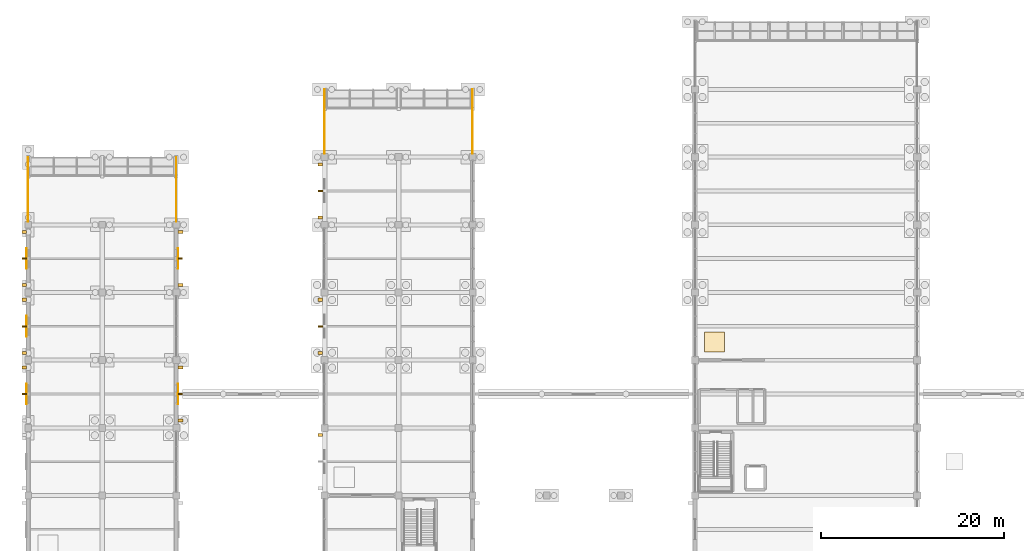
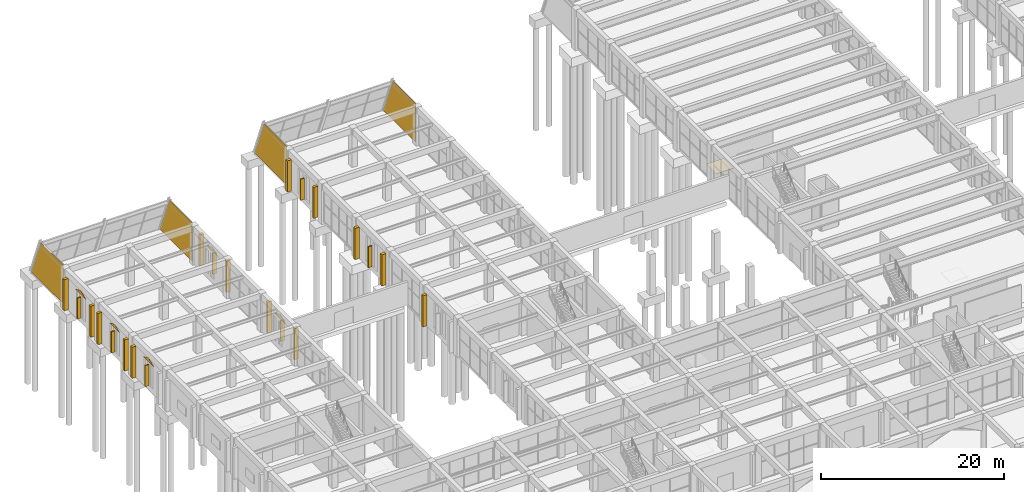
# One storey, part 137 of 140: 21 shading devices, 10 coverings.
"""IFC4 building model written with IfcOpenShell, lengths in metres."""

import ifcopenshell
import ifcopenshell.guid

model = None  # the IFC model being written
_history = None  # IfcOwnerHistory: only IFC2X3 demands one
_inside = {}  # id of a spatial element -> (the spatial element, [elements in it])
_under = {}  # id of a project, library or spatial element -> (it, [spatial elements below it])
_declared = {}  # id of a project -> (the project, [libraries it declares])
_typed = {}  # id of a type object -> (the type object, [elements of that type])
_made_of = {}  # id of a material, layer set ... -> (it, [elements and type objects made of it])


def new_model(schema):
    """Start an empty IFC model of exactly this schema.

    Asked for "IFC4X3", IfcOpenShell would pick the latest addendum, in which some entities
    have other attributes; the version numbers below select the first issue.
    IFC2X3 requires an IfcOwnerHistory on every rooted entity: one is made here for all.
    """
    global model, _history
    if schema == "IFC4X3":
        model = ifcopenshell.file(schema_version=(4, 3, 0, 0))
    else:
        model = ifcopenshell.file(schema=schema)
    _inside.clear()
    _under.clear()
    _declared.clear()
    _typed.clear()
    _made_of.clear()
    _history = None
    if model.schema == "IFC2X3":
        org = make("IfcOrganization", Name="unknown")
        user = make(
            "IfcPersonAndOrganization",
            ThePerson=make("IfcPerson", FamilyName="unknown"),
            TheOrganization=org,
        )
        app = make(
            "IfcApplication",
            ApplicationDeveloper=org,
            Version="unknown",
            ApplicationFullName="unknown",
            ApplicationIdentifier="unknown",
        )
        _history = make(
            "IfcOwnerHistory",
            OwningUser=user,
            OwningApplication=app,
            ChangeAction="ADDED",
            CreationDate=0,
        )
    return model


def make(cls, **values):
    """One entity of the class cls with the attributes given. An attribute that is None is left unset."""
    return model.create_entity(
        cls, **{name: value for name, value in values.items() if value is not None}
    )


def rooted(cls, **values):
    """An entity with a GlobalId (a new one), such as an element, a storey or a relation."""
    return make(cls, GlobalId=ifcopenshell.guid.new(), OwnerHistory=_history, **values)


def si_unit(unit_type, name, prefix=None):
    """IfcSIUnit, for example si_unit("LENGTHUNIT", "METRE", prefix="MILLI")."""
    return make("IfcSIUnit", UnitType=unit_type, Prefix=prefix, Name=name)


def assignment(units):
    """IfcUnitAssignment: the units of a project."""
    return None if units is None else make("IfcUnitAssignment", Units=units)


def point(xyz):
    """IfcCartesianPoint."""
    return None if xyz is None else make("IfcCartesianPoint", Coordinates=xyz)


def direction(xyz):
    """IfcDirection."""
    return None if xyz is None else make("IfcDirection", DirectionRatios=xyz)


def frame(location, z_axis=None, x_axis=None):
    """IfcAxis2Placement3D, a coordinate frame: its origin and axes. An axis left out is left unset."""
    return make(
        "IfcAxis2Placement3D",
        Location=point(location),
        Axis=direction(z_axis),
        RefDirection=direction(x_axis),
    )


def frame_2d(location, x_axis=None):
    """IfcAxis2Placement2D, a coordinate frame in the plane: its origin and x axis."""
    return make(
        "IfcAxis2Placement2D", Location=point(location), RefDirection=direction(x_axis)
    )


def origin():
    """The frame at (0, 0, 0) with its axes left unset."""
    return frame((0.0, 0.0, 0.0))


def origin_2d():
    """The frame at (0, 0) in the plane with its x axis left unset."""
    return frame_2d((0.0, 0.0))


def place(relative_to, where):
    """IfcLocalPlacement: puts the frame where relative to a parent placement (None: the world)."""
    return make(
        "IfcLocalPlacement", PlacementRelTo=relative_to, RelativePlacement=where
    )


def context(
    kind, dimensions, precision=None, world=None, true_north=None, identifier=None
):
    """IfcGeometricRepresentationContext, for example the 3D "Model" context."""
    return make(
        "IfcGeometricRepresentationContext",
        ContextIdentifier=identifier,
        ContextType=kind,
        CoordinateSpaceDimension=dimensions,
        Precision=precision,
        WorldCoordinateSystem=world,
        TrueNorth=true_north,
    )


def subcontext(parent, identifier, kind, view, scale=None):
    """IfcGeometricRepresentationSubContext, for example "Body" below "Model"."""
    return make(
        "IfcGeometricRepresentationSubContext",
        ContextIdentifier=identifier,
        ContextType=kind,
        ParentContext=parent,
        TargetScale=scale,
        TargetView=view,
    )


def project(units=None, contexts=None):
    """IfcProject with its units and contexts."""
    return rooted(
        "IfcProject",
        Name="project",
        RepresentationContexts=contexts,
        UnitsInContext=assignment(units),
    )


def spatial(cls, under=None, at=None, **own):
    """A site, building, storey or space (cls), placed at a placement, below another one or the project."""
    s = rooted(cls, ObjectPlacement=at, **own)
    if under is not None:
        _under.setdefault(under.id(), (under, []))[1].append(s)
    return s


def polyline(points):
    """IfcPolyline through the points."""
    return make("IfcPolyline", Points=[point(p) for p in points])


def profile(cls, at=None, kind="AREA", **sizes):
    """A parametric profile (cls). Its sizes go by their IFC names, for example OverallWidth=200.0."""
    return make(cls, ProfileType=kind, Position=at, **sizes)


def rectangle(**sizes):
    """IfcRectangleProfileDef."""
    return profile("IfcRectangleProfileDef", **sizes)


def outline(outer, holes=None, kind="AREA"):
    """IfcArbitraryClosedProfileDef: a profile drawn as a closed curve; with holes, ...WithVoids."""
    if holes is None:
        return make("IfcArbitraryClosedProfileDef", ProfileType=kind, OuterCurve=outer)
    return make(
        "IfcArbitraryProfileDefWithVoids",
        ProfileType=kind,
        OuterCurve=outer,
        InnerCurves=holes,
    )


def extrude(swept, where, along, depth):
    """IfcExtrudedAreaSolid: the profile swept, set in the frame where, extruded along a direction by depth."""
    return make(
        "IfcExtrudedAreaSolid",
        SweptArea=swept,
        Position=where,
        ExtrudedDirection=direction(along),
        Depth=depth,
    )


def shape(context_of_items, identifier, shape_type, items):
    """IfcShapeRepresentation: the items that make up one representation, for example the "Body"."""
    return make(
        "IfcShapeRepresentation",
        ContextOfItems=context_of_items,
        RepresentationIdentifier=identifier,
        RepresentationType=shape_type,
        Items=items,
    )


def material(Name=None, Category=None):
    """IfcMaterial."""
    return make("IfcMaterial", Name=Name, Category=Category)


def layer(
    of_material, thickness, ventilated=None, Name=None, Category=None, Priority=None
):
    """IfcMaterialLayer: one layer of a wall or slab, of a material (None: an air gap)."""
    return make(
        "IfcMaterialLayer",
        Material=of_material,
        LayerThickness=thickness,
        IsVentilated=ventilated,
        Name=Name,
        Category=Category,
        Priority=Priority,
    )


def layer_set(layers, Name=None):
    """IfcMaterialLayerSet."""
    return make("IfcMaterialLayerSet", MaterialLayers=layers, LayerSetName=Name)


def made_of(thing, what):
    """Note that an element or type object is made of a material, layer set ...; save() writes the relation."""
    if what is not None:
        _made_of.setdefault(what.id(), (what, []))[1].append(thing)
    return thing


def type_object(cls, material=None, **own):
    """A type object (cls), such as IfcWallType, which elements share."""
    return made_of(rooted(cls, **own), material)


def element(
    cls,
    number,
    at=None,
    inside=None,
    cuts=None,
    type_object=None,
    material=None,
    context=None,
    identifier="Body",
    shape_type=None,
    held_by="IfcProductDefinitionShape",
    body=None,
    shapes=None,
    **own,
):
    """One element of the class cls, such as IfcWall. Its Tag is "e" and its number.

    at: its placement. inside: the storey or other place that contains it. cuts: it is an
    opening in that element (IfcRelVoidsElement). A single representation is given by context,
    identifier, shape_type and body (its items); several are given by shapes. held_by: the class
    of the entity that holds the representations. save() writes the other relations.
    """
    e = rooted(cls, Tag="e%d" % number, ObjectPlacement=at, **own)
    if body is not None:
        shapes = [shape(context, identifier, shape_type, body)]
    if shapes is not None:
        e.Representation = make(held_by, Representations=shapes)
    if inside is not None:
        _inside.setdefault(inside.id(), (inside, []))[1].append(e)
    if cuts is not None:
        rooted(
            "IfcRelVoidsElement", RelatingBuildingElement=cuts, RelatedOpeningElement=e
        )
    if type_object is not None:
        _typed.setdefault(type_object.id(), (type_object, []))[1].append(e)
    return made_of(e, material)


def aggregate(whole, parts):
    """IfcRelAggregates: a whole, such as a stair, and the parts it consists of."""
    return rooted("IfcRelAggregates", RelatingObject=whole, RelatedObjects=parts)


def save(model, path):
    """Write the relations noted so far, then the file.

    IfcRelAggregates (storeys below a building ...), IfcRelContainedInSpatialStructure (elements
    in a storey), IfcRelDefinesByType, IfcRelAssociatesMaterial and IfcRelDeclares: one each for
    every whole, place, type object, material and project.
    """
    for whole, parts in _under.values():
        aggregate(whole, parts)
    for where, things in _inside.values():
        rooted(
            "IfcRelContainedInSpatialStructure",
            RelatedElements=things,
            RelatingStructure=where,
        )
    for kind, things in _typed.values():
        rooted("IfcRelDefinesByType", RelatedObjects=things, RelatingType=kind)
    for what, things in _made_of.values():
        rooted("IfcRelAssociatesMaterial", RelatedObjects=things, RelatingMaterial=what)
    for by, libraries in _declared.values():
        rooted("IfcRelDeclares", RelatingContext=by, RelatedDefinitions=libraries)
    model.write(path)


model = new_model("IFC4")

# Units and contexts
model_context = context("Model", 3, precision=1e-05, world=origin(), true_north=direction((0.0, 1.0)))
body_context = subcontext(model_context, "Body", "Model", "MODEL_VIEW")
ifc_project = project(units=[si_unit("LENGTHUNIT", "METRE"), si_unit("AREAUNIT", "SQUARE_METRE"), si_unit("VOLUMEUNIT", "CUBIC_METRE"), si_unit("PLANEANGLEUNIT", "RADIAN"), si_unit("MASSUNIT", "GRAM", prefix="KILO")], contexts=[model_context])

# Site, building, storey
site_placement = place(None, origin())
site = spatial("IfcSite", under=ifc_project, at=site_placement, CompositionType="ELEMENT")
building_placement = place(site_placement, origin())
building = spatial("IfcBuilding", under=site, at=building_placement, Name="Cimatlan Art Gallery", CompositionType="ELEMENT")
storey_placement = place(building_placement, origin())
storey = spatial("IfcBuildingStorey", under=building, at=storey_placement, Name="L00", CompositionType="ELEMENT", Elevation=0.0)

# Coverings
ifc_material_1 = material(Name="Queretaro cantera limestone ashlar hood-mould", Category="masonry")
ifc_layer_1 = layer(ifc_material_1, 0.0419921875)
ifc_layer_set_1 = layer_set([ifc_layer_1], Name="Queretaro cantera limestone ashlar hood-mould")
covering_type_1 = type_object("IfcCoveringType", Name="COV-CLAD-CANTERA-42", PredefinedType="CLADDING", material=ifc_layer_set_1)
for number, where, z_axis, x_axis, name in (
    (1, (2.0, 90.85009765625, 0.0), (1.0, 0.0, 0.0), (0.0, 1.0, 0.0), "CLD-PRW-L00-B1-W"),
    (2, (18.199951171875, 90.85009765625, 0.0), (1.0, 0.0, 0.0), (0.0, 1.0, 0.0), "CLD-PRW-L00-B1-E"),
):
    element("IfcCovering", number, at=place(storey_placement, frame(where, z_axis=z_axis, x_axis=x_axis)), inside=storey, type_object=covering_type_1, Name=name, PredefinedType="CLADDING", context=body_context, shape_type="SweptSolid", body=[
        extrude(outline(polyline([(0.0, 0.0), (7.0498046875, 0.0), (4.9228515625, 5.135009765625), (0.0, 5.135009765625), (0.0, 0.0)])), origin(), (0.0, 0.0, -1.0), 0.0419921875),
    ])
for number, where, z_axis, x_axis, name in (
    (3, (34.39990234375, 98.25, 0.0), (1.0, 0.0, 0.0), (0.0, 1.0, 0.0), "CLD-PRW-L00-B2-W"),
    (4, (50.60009765625, 98.25, 0.0), (1.0, 0.0, 0.0), (0.0, 1.0, 0.0), "CLD-PRW-L00-B2-E"),
):
    element("IfcCovering", number, at=place(storey_placement, frame(where, z_axis=z_axis, x_axis=x_axis)), inside=storey, type_object=covering_type_1, Name=name, PredefinedType="CLADDING", context=body_context, shape_type="SweptSolid", body=[
        extrude(outline(polyline([(0.0, 0.0), (7.050048828125, 0.0), (4.9228515625, 5.135009765625), (0.0, 5.135009765625), (0.0, 0.0)])), origin(), (0.0, 0.0, -1.0), 0.0419921875),
    ])
covering_1_placement = place(storey_placement, frame((1.839599609375, 70.8701171875, 3.780029296875), z_axis=(1.0, 0.0, 0.0), x_axis=(0.0, 1.0, 0.0)))
element("IfcCovering", 5, at=covering_1_placement, inside=storey, type_object=covering_type_1, Name="CLD-006", PredefinedType="CLADDING", context=body_context, shape_type="SweptSolid", body=[
    extrude(outline(polyline([(0.0, 0.0), (2.259765625, 0.0), (1.1298828125, 0.52001953125), (0.0, 0.0)])), origin(), (0.0, 0.0, -1.0), 0.0419921875),
])
covering_2_placement = place(storey_placement, frame((1.839599609375, 78.27001953125, 3.780029296875), z_axis=(1.0, 0.0, 0.0), x_axis=(0.0, 1.0, 0.0)))
element("IfcCovering", 6, at=covering_2_placement, inside=storey, type_object=covering_type_1, Name="CLD-007", PredefinedType="CLADDING", context=body_context, shape_type="SweptSolid", body=[
    extrude(outline(polyline([(0.0, 0.0), (2.260009765625, 0.0), (1.1298828125, 0.52001953125), (0.0, 0.0)])), origin(), (0.0, 0.0, -1.0), 0.0419921875),
])
covering_3_placement = place(storey_placement, frame((1.839599609375, 85.669921875, 3.780029296875), z_axis=(1.0, 0.0, 0.0), x_axis=(0.0, 1.0, 0.0)))
element("IfcCovering", 7, at=covering_3_placement, inside=storey, type_object=covering_type_1, Name="CLD-008", PredefinedType="CLADDING", context=body_context, shape_type="SweptSolid", body=[
    extrude(outline(polyline([(0.0, 0.0), (2.260009765625, 0.0), (1.130126953125, 0.52001953125), (0.0, 0.0)])), origin(), (0.0, 0.0, -1.0), 0.0419921875),
])
covering_4_placement = place(storey_placement, frame((18.360595703125, 73.1298828125, 3.780029296875), z_axis=(-1.0, 0.0, 0.0), x_axis=(0.0, -1.0, 0.0)))
element("IfcCovering", 8, at=covering_4_placement, inside=storey, type_object=covering_type_1, Name="CLD-010", PredefinedType="CLADDING", context=body_context, shape_type="SweptSolid", body=[
    extrude(outline(polyline([(0.0, 0.0), (2.259765625, 0.0), (1.1298828125, 0.52001953125), (0.0, 0.0)])), origin(), (0.0, 0.0, -1.0), 0.0419921875),
])
covering_5_placement = place(storey_placement, frame((18.360595703125, 87.929931640625, 3.780029296875), z_axis=(-1.0, 0.0, 0.0), x_axis=(0.0, -1.0, 0.0)))
element("IfcCovering", 9, at=covering_5_placement, inside=storey, type_object=covering_type_1, Name="CLD-011", PredefinedType="CLADDING", context=body_context, shape_type="SweptSolid", body=[
    extrude(outline(polyline([(0.0, 0.0), (2.260009765625, 0.0), (1.1298828125, 0.52001953125), (0.0, 0.0)])), origin(), (0.0, 0.0, -1.0), 0.0419921875),
])
ifc_material_2 = material(Name="Honed Queretaro limestone terrazzo flooring", Category="masonry")
ifc_layer_2 = layer(ifc_material_2, 0.02001953125)
ifc_layer_set_2 = layer_set([ifc_layer_2], Name="Honed Queretaro limestone terrazzo flooring")
covering_type_2 = type_object("IfcCoveringType", Name="COV-FLR-TERRAZZO-20", PredefinedType="FLOORING", material=ifc_layer_set_2)
covering_6_placement = place(storey_placement, frame((77.050048828125, 77.699951171875, 0.0), z_axis=(0.0, 0.0, 1.0), x_axis=(1.0, 0.0, 0.0)))
element("IfcCovering", 10, at=covering_6_placement, inside=storey, type_object=covering_type_2, Name="FLR-L00-GAL-C2", PredefinedType="FLOORING", context=body_context, shape_type="SweptSolid", body=[
    extrude(rectangle(XDim=2.199951171875, YDim=2.199951171875, at=origin_2d()), origin(), (0.0, 0.0, 1.0), 0.02001953125),
])

# Shading devices
ifc_material_3 = material(Name="Queretaro cantera limestone buttress pilaster", Category="masonry")
shading_device_type_1 = type_object("IfcShadingDeviceType", Name="SHD-BUT-520", PredefinedType="USERDEFINED", material=ifc_material_3)
for number, where, z_axis, x_axis, name in (
    (11, (1.5595703125, 74.90087890625, 0.06005859375), (0.0, 0.0, 1.0), (0.0, 1.0, 0.0), "BUT-0020"),
    (12, (1.5595703125, 76.4990234375, 0.06005859375), (0.0, 0.0, 1.0), (0.0, 1.0, 0.0), "BUT-0021"),
    (13, (1.5595703125, 82.301025390625, 0.06005859375), (0.0, 0.0, 1.0), (0.0, 1.0, 0.0), "BUT-0022"),
    (14, (1.5595703125, 83.89892578125, 0.06005859375), (0.0, 0.0, 1.0), (0.0, 1.0, 0.0), "BUT-0023"),
    (15, (1.5595703125, 89.700927734375, 0.06005859375), (0.0, 0.0, 1.0), (0.0, 1.0, 0.0), "BUT-0024"),
    (16, (18.640380859375, 74.90087890625, 0.06005859375), (0.0, 0.0, 1.0), (0.0, -1.0, 0.0), "BUT-0033"),
    (17, (18.640380859375, 69.09912109375, 0.06005859375), (0.0, 0.0, 1.0), (0.0, -1.0, 0.0), "BUT-0034"),
    (18, (18.640380859375, 89.700927734375, 0.06005859375), (0.0, 0.0, 1.0), (0.0, -1.0, 0.0), "BUT-0035"),
    (19, (18.640380859375, 83.89892578125, 0.06005859375), (0.0, 0.0, 1.0), (0.0, -1.0, 0.0), "BUT-0036"),
    (20, (33.922119140625, 67.5009765625, 0.06005859375), (0.0, 0.0, 1.0), (0.0, 1.0, 0.0), "BUT-0048"),
    (21, (33.922119140625, 76.4990234375, 0.06005859375), (0.0, 0.0, 1.0), (0.0, 1.0, 0.0), "BUT-0049"),
    (22, (33.922119140625, 82.301025390625, 0.06005859375), (0.0, 0.0, 1.0), (0.0, 1.0, 0.0), "BUT-0050"),
    (23, (33.922119140625, 91.299072265625, 0.06005859375), (0.0, 0.0, 1.0), (0.0, 1.0, 0.0), "BUT-0051"),
    (24, (33.922119140625, 97.10107421875, 0.06005859375), (0.0, 0.0, 1.0), (0.0, 1.0, 0.0), "BUT-0052"),
):
    element("IfcShadingDevice", number, at=place(storey_placement, frame(where, z_axis=z_axis, x_axis=x_axis)), inside=storey, type_object=shading_device_type_1, Name=name, ObjectType="FIN", PredefinedType="USERDEFINED", context=body_context, shape_type="SweptSolid", body=[
        extrude(rectangle(XDim=0.340087890625, YDim=0.52001953125, at=origin_2d()), origin(), (0.0, 0.0, 1.0), 4.14990234375),
    ])
ifc_material_4 = material(Name="Queretaro cantera limestone lancet mullion fin", Category="masonry")
shading_device_type_2 = type_object("IfcShadingDeviceType", Name="SHD-FIN-480", PredefinedType="USERDEFINED", material=ifc_material_4)
for number, where, z_axis, x_axis, name in (
    (25, (1.57958984375, 72.0, 0.64990234375), (0.0, 0.0, 1.0), (0.0, 1.0, 0.0), "FIN-006"),
    (26, (1.57958984375, 79.39990234375, 0.64990234375), (0.0, 0.0, 1.0), (0.0, 1.0, 0.0), "FIN-007"),
    (27, (1.57958984375, 86.800048828125, 0.64990234375), (0.0, 0.0, 1.0), (0.0, 1.0, 0.0), "FIN-008"),
    (28, (18.62060546875, 72.0, 0.64990234375), (0.0, 0.0, 1.0), (0.0, -1.0, 0.0), "FIN-010"),
    (29, (18.62060546875, 86.800048828125, 0.64990234375), (0.0, 0.0, 1.0), (0.0, -1.0, 0.0), "FIN-011"),
    (30, (33.94189453125, 79.39990234375, 0.64990234375), (0.0, 0.0, 1.0), (0.0, 1.0, 0.0), "FIN-017"),
    (31, (33.94189453125, 94.199951171875, 0.64990234375), (0.0, 0.0, 1.0), (0.0, 1.0, 0.0), "FIN-018"),
):
    element("IfcShadingDevice", number, at=place(storey_placement, frame(where, z_axis=z_axis, x_axis=x_axis)), inside=storey, type_object=shading_device_type_2, Name=name, ObjectType="FIN", PredefinedType="USERDEFINED", context=body_context, shape_type="SweptSolid", body=[
        extrude(rectangle(XDim=0.159912109375, YDim=0.47998046875, at=origin_2d()), origin(), (0.0, 0.0, 1.0), 2.800048828125),
    ])

save(model, "model.ifc")
